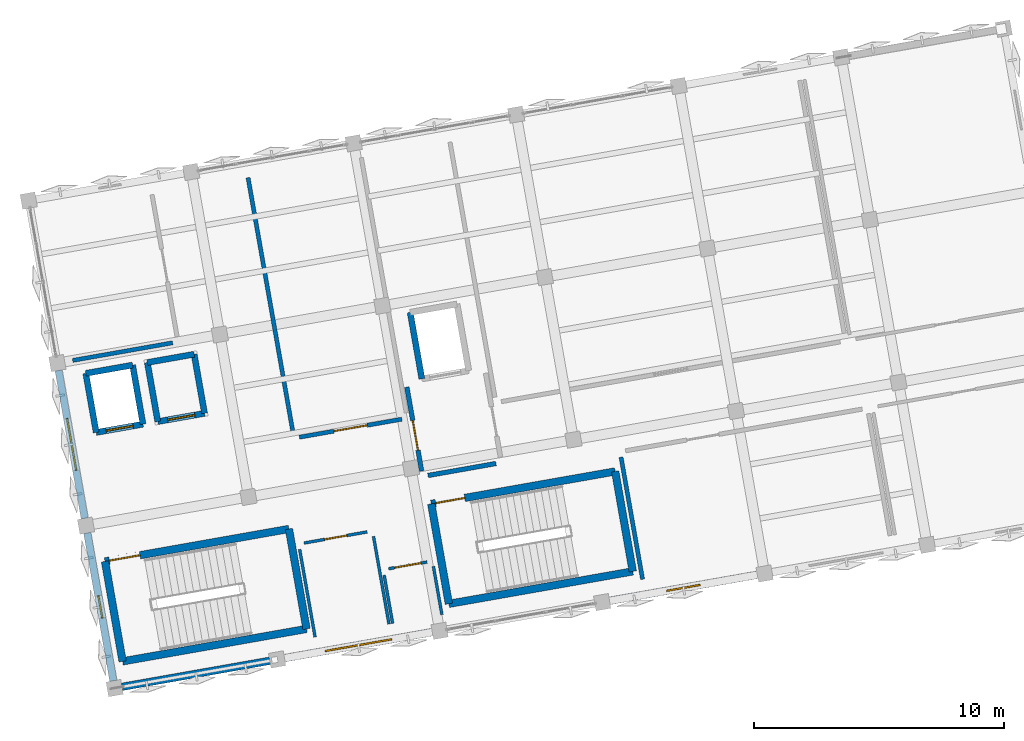
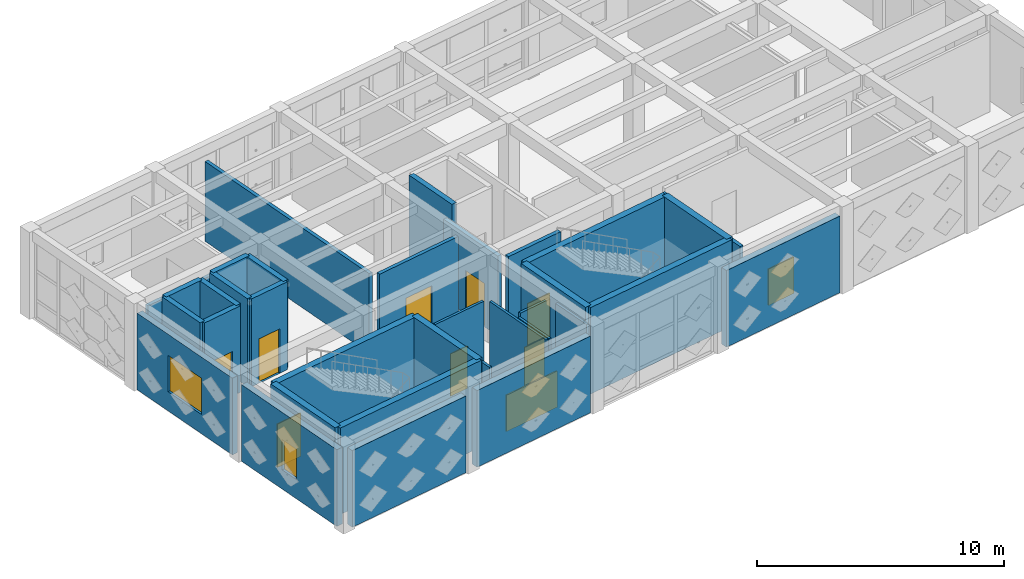
# One storey, part 20 of 29: 34 walls, 8 doors, 4 windows, 12 openings.
"""IFC4 building model written with IfcOpenShell, lengths in metres."""

import ifcopenshell
import ifcopenshell.guid

model = None  # the IFC model being written
_history = None  # IfcOwnerHistory: only IFC2X3 demands one
_inside = {}  # id of a spatial element -> (the spatial element, [elements in it])
_under = {}  # id of a project, library or spatial element -> (it, [spatial elements below it])
_declared = {}  # id of a project -> (the project, [libraries it declares])
_typed = {}  # id of a type object -> (the type object, [elements of that type])
_made_of = {}  # id of a material, layer set ... -> (it, [elements and type objects made of it])


def new_model(schema):
    """Start an empty IFC model of exactly this schema.

    Asked for "IFC4X3", IfcOpenShell would pick the latest addendum, in which some entities
    have other attributes; the version numbers below select the first issue.
    IFC2X3 requires an IfcOwnerHistory on every rooted entity: one is made here for all.
    """
    global model, _history
    if schema == "IFC4X3":
        model = ifcopenshell.file(schema_version=(4, 3, 0, 0))
    else:
        model = ifcopenshell.file(schema=schema)
    _inside.clear()
    _under.clear()
    _declared.clear()
    _typed.clear()
    _made_of.clear()
    _history = None
    if model.schema == "IFC2X3":
        org = make("IfcOrganization", Name="unknown")
        user = make(
            "IfcPersonAndOrganization",
            ThePerson=make("IfcPerson", FamilyName="unknown"),
            TheOrganization=org,
        )
        app = make(
            "IfcApplication",
            ApplicationDeveloper=org,
            Version="unknown",
            ApplicationFullName="unknown",
            ApplicationIdentifier="unknown",
        )
        _history = make(
            "IfcOwnerHistory",
            OwningUser=user,
            OwningApplication=app,
            ChangeAction="ADDED",
            CreationDate=0,
        )
    return model


def make(cls, **values):
    """One entity of the class cls with the attributes given. An attribute that is None is left unset."""
    return model.create_entity(
        cls, **{name: value for name, value in values.items() if value is not None}
    )


def rooted(cls, **values):
    """An entity with a GlobalId (a new one), such as an element, a storey or a relation."""
    return make(cls, GlobalId=ifcopenshell.guid.new(), OwnerHistory=_history, **values)


def si_unit(unit_type, name, prefix=None):
    """IfcSIUnit, for example si_unit("LENGTHUNIT", "METRE", prefix="MILLI")."""
    return make("IfcSIUnit", UnitType=unit_type, Prefix=prefix, Name=name)


def assignment(units):
    """IfcUnitAssignment: the units of a project."""
    return None if units is None else make("IfcUnitAssignment", Units=units)


def point(xyz):
    """IfcCartesianPoint."""
    return None if xyz is None else make("IfcCartesianPoint", Coordinates=xyz)


def direction(xyz):
    """IfcDirection."""
    return None if xyz is None else make("IfcDirection", DirectionRatios=xyz)


def frame(location, z_axis=None, x_axis=None):
    """IfcAxis2Placement3D, a coordinate frame: its origin and axes. An axis left out is left unset."""
    return make(
        "IfcAxis2Placement3D",
        Location=point(location),
        Axis=direction(z_axis),
        RefDirection=direction(x_axis),
    )


def frame_2d(location, x_axis=None):
    """IfcAxis2Placement2D, a coordinate frame in the plane: its origin and x axis."""
    return make(
        "IfcAxis2Placement2D", Location=point(location), RefDirection=direction(x_axis)
    )


def origin():
    """The frame at (0, 0, 0) with its axes left unset."""
    return frame((0.0, 0.0, 0.0))


def place(relative_to, where):
    """IfcLocalPlacement: puts the frame where relative to a parent placement (None: the world)."""
    return make(
        "IfcLocalPlacement", PlacementRelTo=relative_to, RelativePlacement=where
    )


def context(
    kind, dimensions, precision=None, world=None, true_north=None, identifier=None
):
    """IfcGeometricRepresentationContext, for example the 3D "Model" context."""
    return make(
        "IfcGeometricRepresentationContext",
        ContextIdentifier=identifier,
        ContextType=kind,
        CoordinateSpaceDimension=dimensions,
        Precision=precision,
        WorldCoordinateSystem=world,
        TrueNorth=true_north,
    )


def subcontext(parent, identifier, kind, view, scale=None):
    """IfcGeometricRepresentationSubContext, for example "Body" below "Model"."""
    return make(
        "IfcGeometricRepresentationSubContext",
        ContextIdentifier=identifier,
        ContextType=kind,
        ParentContext=parent,
        TargetScale=scale,
        TargetView=view,
    )


def project(units=None, contexts=None):
    """IfcProject with its units and contexts."""
    return rooted(
        "IfcProject",
        Name="project",
        RepresentationContexts=contexts,
        UnitsInContext=assignment(units),
    )


def spatial(cls, under=None, at=None, **own):
    """A site, building, storey or space (cls), placed at a placement, below another one or the project."""
    s = rooted(cls, ObjectPlacement=at, **own)
    if under is not None:
        _under.setdefault(under.id(), (under, []))[1].append(s)
    return s


def profile(cls, at=None, kind="AREA", **sizes):
    """A parametric profile (cls). Its sizes go by their IFC names, for example OverallWidth=200.0."""
    return make(cls, ProfileType=kind, Position=at, **sizes)


def rectangle(**sizes):
    """IfcRectangleProfileDef."""
    return profile("IfcRectangleProfileDef", **sizes)


def extrude(swept, where, along, depth):
    """IfcExtrudedAreaSolid: the profile swept, set in the frame where, extruded along a direction by depth."""
    return make(
        "IfcExtrudedAreaSolid",
        SweptArea=swept,
        Position=where,
        ExtrudedDirection=direction(along),
        Depth=depth,
    )


def shape(context_of_items, identifier, shape_type, items):
    """IfcShapeRepresentation: the items that make up one representation, for example the "Body"."""
    return make(
        "IfcShapeRepresentation",
        ContextOfItems=context_of_items,
        RepresentationIdentifier=identifier,
        RepresentationType=shape_type,
        Items=items,
    )


def material(Name=None, Category=None):
    """IfcMaterial."""
    return make("IfcMaterial", Name=Name, Category=Category)


def layer(
    of_material, thickness, ventilated=None, Name=None, Category=None, Priority=None
):
    """IfcMaterialLayer: one layer of a wall or slab, of a material (None: an air gap)."""
    return make(
        "IfcMaterialLayer",
        Material=of_material,
        LayerThickness=thickness,
        IsVentilated=ventilated,
        Name=Name,
        Category=Category,
        Priority=Priority,
    )


def layer_set(layers, Name=None):
    """IfcMaterialLayerSet."""
    return make("IfcMaterialLayerSet", MaterialLayers=layers, LayerSetName=Name)


def made_of(thing, what):
    """Note that an element or type object is made of a material, layer set ...; save() writes the relation."""
    if what is not None:
        _made_of.setdefault(what.id(), (what, []))[1].append(thing)
    return thing


def type_object(cls, material=None, **own):
    """A type object (cls), such as IfcWallType, which elements share."""
    return made_of(rooted(cls, **own), material)


def element(
    cls,
    number,
    at=None,
    inside=None,
    cuts=None,
    type_object=None,
    material=None,
    context=None,
    identifier="Body",
    shape_type=None,
    held_by="IfcProductDefinitionShape",
    body=None,
    shapes=None,
    **own,
):
    """One element of the class cls, such as IfcWall. Its Tag is "e" and its number.

    at: its placement. inside: the storey or other place that contains it. cuts: it is an
    opening in that element (IfcRelVoidsElement). A single representation is given by context,
    identifier, shape_type and body (its items); several are given by shapes. held_by: the class
    of the entity that holds the representations. save() writes the other relations.
    """
    e = rooted(cls, Tag="e%d" % number, ObjectPlacement=at, **own)
    if body is not None:
        shapes = [shape(context, identifier, shape_type, body)]
    if shapes is not None:
        e.Representation = make(held_by, Representations=shapes)
    if inside is not None:
        _inside.setdefault(inside.id(), (inside, []))[1].append(e)
    if cuts is not None:
        rooted(
            "IfcRelVoidsElement", RelatingBuildingElement=cuts, RelatedOpeningElement=e
        )
    if type_object is not None:
        _typed.setdefault(type_object.id(), (type_object, []))[1].append(e)
    return made_of(e, material)


def fill(opening, filler):
    """IfcRelFillsElement: the door or window that sits in an opening."""
    return rooted(
        "IfcRelFillsElement",
        RelatingOpeningElement=opening,
        RelatedBuildingElement=filler,
    )


def aggregate(whole, parts):
    """IfcRelAggregates: a whole, such as a stair, and the parts it consists of."""
    return rooted("IfcRelAggregates", RelatingObject=whole, RelatedObjects=parts)


def save(model, path):
    """Write the relations noted so far, then the file.

    IfcRelAggregates (storeys below a building ...), IfcRelContainedInSpatialStructure (elements
    in a storey), IfcRelDefinesByType, IfcRelAssociatesMaterial and IfcRelDeclares: one each for
    every whole, place, type object, material and project.
    """
    for whole, parts in _under.values():
        aggregate(whole, parts)
    for where, things in _inside.values():
        rooted(
            "IfcRelContainedInSpatialStructure",
            RelatedElements=things,
            RelatingStructure=where,
        )
    for kind, things in _typed.values():
        rooted("IfcRelDefinesByType", RelatedObjects=things, RelatingType=kind)
    for what, things in _made_of.values():
        rooted("IfcRelAssociatesMaterial", RelatedObjects=things, RelatingMaterial=what)
    for by, libraries in _declared.values():
        rooted("IfcRelDeclares", RelatingContext=by, RelatedDefinitions=libraries)
    model.write(path)


model = new_model("IFC4")

# Units and contexts
model_context = context("Model", 3, precision=1e-05, world=origin(), true_north=direction((0.0, 1.0)))
body_context = subcontext(model_context, "Body", "Model", "MODEL_VIEW")
ifc_project = project(units=[si_unit("LENGTHUNIT", "METRE"), si_unit("AREAUNIT", "SQUARE_METRE"), si_unit("VOLUMEUNIT", "CUBIC_METRE"), si_unit("PLANEANGLEUNIT", "RADIAN"), si_unit("MASSUNIT", "GRAM", prefix="KILO")], contexts=[model_context])

# Site, building, storey
site_placement = place(None, origin())
site = spatial("IfcSite", under=ifc_project, at=site_placement, CompositionType="ELEMENT")
building_placement = place(site_placement, origin())
building = spatial("IfcBuilding", under=site, at=building_placement, Name="Kharisveld Research Institute", CompositionType="ELEMENT")
storey_placement = place(building_placement, frame((0.0, 0.0, 32.10009765625)))
storey = spatial("IfcBuildingStorey", under=building, at=storey_placement, Name="L07", CompositionType="ELEMENT", Elevation=32.10009765625)

# Walls
ifc_material_1 = material(Name="Concrete C40/50", Category="concrete")
ifc_layer_1 = layer(ifc_material_1, 0.239990234375)
ifc_layer_set_1 = layer_set([ifc_layer_1], Name="WL_CORE_240")
wall_type_1 = type_object("IfcWallType", Name="WL_CORE_240", PredefinedType="SHEAR", material=ifc_layer_set_1)
wall_1_placement = place(storey_placement, frame((17.48828125, 47.3818359375, 0.0), z_axis=(0.0, 0.0, 1.0), x_axis=(-0.173615102578, 0.98481358447, 0.0)))
element("IfcWall", 1, at=wall_1_placement, inside=storey, type_object=wall_type_1, Name="WL:LFT:FFL-01:L07:W", PredefinedType="SHEAR", context=body_context, shape_type="SweptSolid", body=[
    extrude(rectangle(XDim=2.699951171875, YDim=0.239990234375, at=frame_2d((1.35009765625, 0.0))), origin(), (0.0, 0.0, 1.0), 4.27978515625),
])
wall_2_placement = place(storey_placement, frame((4.462890625, 45.2373046875, 0.0), z_axis=(0.0, 0.0, 1.0), x_axis=(-0.173646056486, 0.984808127031, 0.0)))
element("IfcWall", 2, at=wall_2_placement, inside=storey, type_object=wall_type_1, Name="WL:LFT:PL-01:L07:W", PredefinedType="SHEAR", context=body_context, shape_type="SweptSolid", body=[
    extrude(rectangle(XDim=2.39990234375, YDim=0.239990234375, at=frame_2d((1.199951171875, 0.0))), origin(), (0.0, 0.0, 1.0), 4.27978515625),
])
wall_3_placement = place(storey_placement, frame((4.046142578125, 47.600830078125, 0.0), z_axis=(0.0, 0.0, 1.0), x_axis=(0.984793905749, 0.173726691098, 0.0)))
element("IfcWall", 3, at=wall_3_placement, inside=storey, type_object=wall_type_1, Name="WL:LFT:PL-01:L07:N", PredefinedType="SHEAR", context=body_context, shape_type="SweptSolid", body=[
    extrude(rectangle(XDim=1.89990234375, YDim=0.239990234375, at=frame_2d((0.949951171875, 0.0))), origin(), (0.0, 0.0, 1.0), 4.27978515625),
])
wall_4_placement = place(storey_placement, frame((5.917236328125, 47.930908203125, 0.0), z_axis=(0.0, 0.0, 1.0), x_axis=(0.173646056486, -0.984808127031, 0.0)))
element("IfcWall", 4, at=wall_4_placement, inside=storey, type_object=wall_type_1, Name="WL:LFT:PL-01:L07:E", PredefinedType="SHEAR", context=body_context, shape_type="SweptSolid", body=[
    extrude(rectangle(XDim=2.39990234375, YDim=0.239990234375, at=frame_2d((1.199951171875, 0.0))), origin(), (0.0, 0.0, 1.0), 4.27978515625),
])

# Wall, opening, door
wall_5_placement = place(storey_placement, frame((6.333984375, 45.5673828125, 0.0), z_axis=(0.0, 0.0, 1.0), x_axis=(-0.984793905749, -0.173726691098, 0.0)))
wall_5 = element("IfcWall", 5, at=wall_5_placement, inside=storey, type_object=wall_type_1, Name="WL:LFT:PL-01:L07:S", PredefinedType="SHEAR", context=body_context, shape_type="SweptSolid", body=[
    extrude(rectangle(XDim=1.89990234375, YDim=0.239990234375, at=frame_2d((0.949951171875, 0.0))), origin(), (0.0, 0.0, 1.0), 4.27978515625),
])
opening_1_placement = place(wall_5_placement, frame((0.39990234375, 0.0, 0.0)))
opening_1 = element("IfcOpeningElement", 6, at=opening_1_placement, cuts=wall_5, Name="Opening LD-01", PredefinedType="OPENING", context=body_context, shape_type="SweptSolid", body=[
    extrude(rectangle(XDim=1.10009765625, YDim=2.199951171875, at=frame_2d((0.550048828125, 1.10009765625))), frame((0.0, 0.1201171875, 0.0), z_axis=(0.0, -1.0, 0.0), x_axis=(1.0, 0.0, 0.0)), (0.0, 0.0, 1.0), 0.239990234375),
])
ifc_material_2 = material(Name="Flush Painted Hardwood and Anodised Aluminium", Category="wood")
door_type_1 = type_object("IfcDoorType", Name="DR_LFT_110", OperationType="SLIDING_TO_LEFT", PredefinedType="DOOR", material=ifc_material_2)
door_1_placement = place(opening_1_placement, origin())
door_1 = element("IfcDoor", 7, at=door_1_placement, inside=storey, type_object=door_type_1, Name="PL-01 Lift Landing Door L07", OperationType="SLIDING_TO_LEFT", OverallHeight=2.199951171875, OverallWidth=1.10009765625, PredefinedType="DOOR", context=body_context, shape_type="SweptSolid", body=[
    extrude(rectangle(XDim=1.10009765625, YDim=2.199951171875, at=frame_2d((0.550048828125, 1.10009765625))), frame((0.0, 0.02490234375, 0.0), z_axis=(0.0, -1.0, 0.0), x_axis=(1.0, 0.0, 0.0)), (0.0, 0.0, 1.0), 0.050048828125),
])
fill(opening_1, door_1)

# Walls
wall_6_placement = place(storey_placement, frame((6.9248046875, 45.67138671875, 0.0), z_axis=(0.0, 0.0, 1.0), x_axis=(-0.173646056486, 0.984808127031, 0.0)))
element("IfcWall", 8, at=wall_6_placement, inside=storey, type_object=wall_type_1, Name="WL:LFT:PL-02:L07:W", PredefinedType="SHEAR", context=body_context, shape_type="SweptSolid", body=[
    extrude(rectangle(XDim=2.39990234375, YDim=0.239990234375, at=frame_2d((1.199951171875, 0.0))), origin(), (0.0, 0.0, 1.0), 4.349853515625),
])
wall_7_placement = place(storey_placement, frame((6.508056640625, 48.034912109375, 0.0), z_axis=(0.0, 0.0, 1.0), x_axis=(0.984793905749, 0.173726691098, 0.0)))
element("IfcWall", 9, at=wall_7_placement, inside=storey, type_object=wall_type_1, Name="WL:LFT:PL-02:L07:N", PredefinedType="SHEAR", context=body_context, shape_type="SweptSolid", body=[
    extrude(rectangle(XDim=1.89990234375, YDim=0.239990234375, at=frame_2d((0.949951171875, 0.0))), origin(), (0.0, 0.0, 1.0), 4.349853515625),
])
wall_8_placement = place(storey_placement, frame((8.379150390625, 48.364990234375, 0.0), z_axis=(0.0, 0.0, 1.0), x_axis=(0.173646056486, -0.984808127031, 0.0)))
element("IfcWall", 10, at=wall_8_placement, inside=storey, type_object=wall_type_1, Name="WL:LFT:PL-02:L07:E", PredefinedType="SHEAR", context=body_context, shape_type="SweptSolid", body=[
    extrude(rectangle(XDim=2.39990234375, YDim=0.239990234375, at=frame_2d((1.199951171875, 0.0))), origin(), (0.0, 0.0, 1.0), 4.349853515625),
])

# Wall, opening, door
wall_9_placement = place(storey_placement, frame((8.7958984375, 46.00146484375, 0.0), z_axis=(0.0, 0.0, 1.0), x_axis=(-0.984793905749, -0.173726691098, 0.0)))
wall_9 = element("IfcWall", 11, at=wall_9_placement, inside=storey, type_object=wall_type_1, Name="WL:LFT:PL-02:L07:S", PredefinedType="SHEAR", context=body_context, shape_type="SweptSolid", body=[
    extrude(rectangle(XDim=1.89990234375, YDim=0.239990234375, at=frame_2d((0.949951171875, 0.0))), origin(), (0.0, 0.0, 1.0), 4.349853515625),
])
opening_2_placement = place(wall_9_placement, frame((0.39990234375, 0.0, 0.0)))
opening_2 = element("IfcOpeningElement", 12, at=opening_2_placement, cuts=wall_9, Name="Opening LD-01", PredefinedType="OPENING", context=body_context, shape_type="SweptSolid", body=[
    extrude(rectangle(XDim=1.10009765625, YDim=2.199951171875, at=frame_2d((0.550048828125, 1.10009765625))), frame((0.0, 0.1201171875, 0.0), z_axis=(0.0, -1.0, 0.0), x_axis=(1.0, 0.0, 0.0)), (0.0, 0.0, 1.0), 0.239990234375),
])
door_2_placement = place(opening_2_placement, origin())
door_2 = element("IfcDoor", 13, at=door_2_placement, inside=storey, type_object=door_type_1, Name="PL-02 Lift Landing Door L07", OperationType="SLIDING_TO_LEFT", OverallHeight=2.199951171875, OverallWidth=1.10009765625, PredefinedType="DOOR", context=body_context, shape_type="SweptSolid", body=[
    extrude(rectangle(XDim=1.10009765625, YDim=2.199951171875, at=frame_2d((0.550048828125, 1.10009765625))), frame((0.0, 0.02490234375, 0.0), z_axis=(0.0, -1.0, 0.0), x_axis=(1.0, 0.0, 0.0)), (0.0, 0.0, 1.0), 0.050048828125),
])
fill(opening_2, door_2)

# Wall
ifc_material_3 = material(Name="Concrete C40/50", Category="concrete")
ifc_layer_2 = layer(ifc_material_3, 0.300048828125)
ifc_layer_set_2 = layer_set([ifc_layer_2], Name="WL_CORE_300")
wall_type_2 = type_object("IfcWallType", Name="WL_CORE_300", PredefinedType="SHEAR", material=ifc_layer_set_2)
wall_10_placement = place(storey_placement, frame((5.518798828125, 36.08154296875, 0.0), z_axis=(0.0, 0.0, 1.0), x_axis=(-0.173665267602, 0.984804739443, 0.0)))
element("IfcWall", 14, at=wall_10_placement, inside=storey, type_object=wall_type_2, Name="WL:STR:ST1:L07:W", PredefinedType="SHEAR", context=body_context, shape_type="SweptSolid", body=[
    extrude(rectangle(XDim=4.06005859375, YDim=0.300048828125, at=frame_2d((2.030029296875, 0.0))), origin(), (0.0, 0.0, 1.0), 4.27978515625),
])

# Wall, opening, door
wall_11_placement = place(storey_placement, frame((4.813720703125, 40.079833984375, 0.0), z_axis=(0.0, 0.0, 1.0), x_axis=(0.984802636214, 0.173677193974, 0.0)))
wall_11 = element("IfcWall", 15, at=wall_11_placement, inside=storey, type_object=wall_type_2, Name="WL:STR:ST1:L07:N", PredefinedType="SHEAR", context=body_context, shape_type="SweptSolid", body=[
    extrude(rectangle(XDim=7.469970703125, YDim=0.300048828125, at=frame_2d((3.73486328125, 0.0))), origin(), (0.0, 0.0, 1.0), 4.27978515625),
])
opening_3_placement = place(wall_11_placement, frame((0.179931640625, 0.0, 0.0)))
opening_3 = element("IfcOpeningElement", 16, at=opening_3_placement, cuts=wall_11, Name="Opening DS-009", PredefinedType="OPENING", context=body_context, shape_type="SweptSolid", body=[
    extrude(rectangle(XDim=1.239990234375, YDim=2.14990234375, at=frame_2d((0.6201171875, 1.074951171875))), frame((0.0, 0.14990234375, 0.0), z_axis=(0.0, -1.0, 0.0), x_axis=(1.0, 0.0, 0.0)), (0.0, 0.0, 1.0), 0.300048828125),
])
ifc_material_4 = material(Name="Flush Painted Hardwood and Anodised Aluminium", Category="wood")
door_type_2 = type_object("IfcDoorType", Name="DR_FD60_124", OperationType="NOTDEFINED", PredefinedType="DOOR", material=ifc_material_4)
door_3_placement = place(opening_3_placement, origin())
door_3 = element("IfcDoor", 17, at=door_3_placement, inside=storey, type_object=door_type_2, Name="DR:STR:ST1:L07", OperationType="SINGLE_SWING_RIGHT", OverallHeight=2.14990234375, OverallWidth=1.239990234375, PredefinedType="DOOR", context=body_context, shape_type="SweptSolid", body=[
    extrude(rectangle(XDim=1.239990234375, YDim=2.14990234375, at=frame_2d((0.6201171875, 1.074951171875))), frame((0.0, 0.02490234375, 0.0), z_axis=(0.0, -1.0, 0.0), x_axis=(1.0, 0.0, 0.0)), (0.0, 0.0, 1.0), 0.050048828125),
])
fill(opening_3, door_3)

# Walls
wall_12_placement = place(storey_placement, frame((12.170166015625, 41.377197265625, 0.0), z_axis=(0.0, 0.0, 1.0), x_axis=(0.173654983803, -0.984806552883, 0.0)))
element("IfcWall", 18, at=wall_12_placement, inside=storey, type_object=wall_type_2, Name="WL:STR:ST1:L07:E", PredefinedType="SHEAR", context=body_context, shape_type="SweptSolid", body=[
    extrude(rectangle(XDim=4.060302734375, YDim=0.300048828125, at=frame_2d((2.0302734375, 0.0))), origin(), (0.0, 0.0, 1.0), 4.27978515625),
])
wall_13_placement = place(storey_placement, frame((12.875244140625, 37.378662109375, 0.0), z_axis=(0.0, 0.0, 1.0), x_axis=(-0.984808225754, -0.173645496596, 0.0)))
element("IfcWall", 19, at=wall_13_placement, inside=storey, type_object=wall_type_2, Name="WL:STR:ST1:L07:S", PredefinedType="SHEAR", context=body_context, shape_type="SweptSolid", body=[
    extrude(rectangle(XDim=7.469970703125, YDim=0.300048828125, at=frame_2d((3.73486328125, 0.0))), origin(), (0.0, 0.0, 1.0), 4.27978515625),
])
wall_14_placement = place(storey_placement, frame((18.5673828125, 38.382568359375, 0.0), z_axis=(0.0, 0.0, 1.0), x_axis=(-0.173606946886, 0.984815022221, 0.0)))
element("IfcWall", 20, at=wall_14_placement, inside=storey, type_object=wall_type_2, Name="WL:STR:ST2:L07:W", PredefinedType="SHEAR", context=body_context, shape_type="SweptSolid", body=[
    extrude(rectangle(XDim=4.06005859375, YDim=0.300048828125, at=frame_2d((2.030029296875, 0.0))), origin(), (0.0, 0.0, 1.0), 4.27978515625),
])

# Wall, opening, door
wall_15_placement = place(storey_placement, frame((17.862548828125, 42.380859375, 0.0), z_axis=(0.0, 0.0, 1.0), x_axis=(0.984808225754, 0.173645496596, 0.0)))
wall_15 = element("IfcWall", 21, at=wall_15_placement, inside=storey, type_object=wall_type_2, Name="WL:STR:ST2:L07:N", PredefinedType="SHEAR", context=body_context, shape_type="SweptSolid", body=[
    extrude(rectangle(XDim=7.469970703125, YDim=0.300048828125, at=frame_2d((3.73486328125, 0.0))), origin(), (0.0, 0.0, 1.0), 4.27978515625),
])
opening_4_placement = place(wall_15_placement, frame((0.179931640625, 0.0, 0.0)))
opening_4 = element("IfcOpeningElement", 22, at=opening_4_placement, cuts=wall_15, Name="Opening DS-022", PredefinedType="OPENING", context=body_context, shape_type="SweptSolid", body=[
    extrude(rectangle(XDim=1.179931640625, YDim=2.14990234375, at=frame_2d((0.58984375, 1.074951171875))), frame((0.0, 0.14990234375, 0.0), z_axis=(0.0, -1.0, 0.0), x_axis=(1.0, 0.0, 0.0)), (0.0, 0.0, 1.0), 0.300048828125),
])
ifc_material_5 = material(Name="Flush Painted Hardwood and Anodised Aluminium", Category="wood")
door_type_3 = type_object("IfcDoorType", Name="DR_FD60_118", OperationType="NOTDEFINED", PredefinedType="DOOR", material=ifc_material_5)
door_4_placement = place(opening_4_placement, origin())
door_4 = element("IfcDoor", 23, at=door_4_placement, inside=storey, type_object=door_type_3, Name="DR:STR:ST2:L07", OperationType="SINGLE_SWING_LEFT", OverallHeight=2.14990234375, OverallWidth=1.179931640625, PredefinedType="DOOR", context=body_context, shape_type="SweptSolid", body=[
    extrude(rectangle(XDim=1.179931640625, YDim=2.14990234375, at=frame_2d((0.58984375, 1.074951171875))), frame((0.0, 0.02490234375, 0.0), z_axis=(0.0, -1.0, 0.0), x_axis=(1.0, 0.0, 0.0)), (0.0, 0.0, 1.0), 0.050048828125),
])
fill(opening_4, door_4)

# Walls
wall_16_placement = place(storey_placement, frame((25.218994140625, 43.677978515625, 0.0), z_axis=(0.0, 0.0, 1.0), x_axis=(0.173665267602, -0.984804739443, 0.0)))
element("IfcWall", 24, at=wall_16_placement, inside=storey, type_object=wall_type_2, Name="WL:STR:ST2:L07:E", PredefinedType="SHEAR", context=body_context, shape_type="SweptSolid", body=[
    extrude(rectangle(XDim=4.06005859375, YDim=0.300048828125, at=frame_2d((2.030029296875, 0.0))), origin(), (0.0, 0.0, 1.0), 4.27978515625),
])
wall_17_placement = place(storey_placement, frame((25.924072265625, 39.6796875, 0.0), z_axis=(0.0, 0.0, 1.0), x_axis=(-0.984809211193, -0.173639907711, 0.0)))
element("IfcWall", 25, at=wall_17_placement, inside=storey, type_object=wall_type_2, Name="WL:STR:ST2:L07:S", PredefinedType="SHEAR", context=body_context, shape_type="SweptSolid", body=[
    extrude(rectangle(XDim=7.47021484375, YDim=0.300048828125, at=frame_2d((3.735107421875, 0.0))), origin(), (0.0, 0.0, 1.0), 4.27978515625),
])

# Wall, opening, window
ifc_material_6 = material(Name="Precast Concrete C40/50 Thermal Wall", Category="concrete")
ifc_layer_3 = layer(ifc_material_6, 0.27490234375)
ifc_layer_set_3 = layer_set([ifc_layer_3], Name="WL_EXT_275")
wall_type_3 = type_object("IfcWallType", Name="WL_EXT_275", PredefinedType="STANDARD", material=ifc_layer_set_3)
wall_18_placement = place(storey_placement, frame((4.002685546875, 41.80029296875, 0.0), z_axis=(0.0, 0.0, 1.0), x_axis=(-0.173660194111, 0.984805634113, 0.0)))
wall_18 = element("IfcWall", 26, at=wall_18_placement, inside=storey, type_object=wall_type_3, Name="WL:V1:L07:W1", PredefinedType="STANDARD", context=body_context, shape_type="SweptSolid", body=[
    extrude(rectangle(XDim=6.010009765625, YDim=0.27490234375, at=frame_2d((3.0048828125, 0.0))), origin(), (0.0, 0.0, 1.0), 3.794921875),
])
opening_5_placement = place(wall_18_placement, frame((1.955078125, 0.0, 0.949951171875)))
opening_5 = element("IfcOpeningElement", 27, at=opening_5_placement, cuts=wall_18, Name="Opening WN-06", PredefinedType="OPENING", context=body_context, shape_type="SweptSolid", body=[
    extrude(rectangle(XDim=2.10009765625, YDim=1.800048828125, at=frame_2d((1.050048828125, 0.89990234375))), frame((0.0, 0.137451171875, 0.0), z_axis=(0.0, -1.0, 0.0), x_axis=(1.0, 0.0, 0.0)), (0.0, 0.0, 1.0), 0.27490234375),
])
ifc_material_7 = material(Name="Low-E Double Glazing", Category="glass")
window_type_1 = type_object("IfcWindowType", Name="WN_06", PartitioningType="DOUBLE_PANEL_VERTICAL", PredefinedType="WINDOW", material=ifc_material_7)
window_1_placement = place(opening_5_placement, origin())
window_1 = element("IfcWindow", 28, at=window_1_placement, inside=storey, type_object=window_type_1, Name="WN:V1:L07:W1", OverallHeight=1.800048828125, OverallWidth=2.10009765625, PartitioningType="SINGLE_PANEL", PredefinedType="WINDOW", context=body_context, shape_type="SweptSolid", body=[
    extrude(rectangle(XDim=2.10009765625, YDim=1.800048828125, at=frame_2d((1.050048828125, 0.89990234375))), frame((0.0, 0.030029296875, 0.0), z_axis=(0.0, -1.0, 0.0), x_axis=(1.0, 0.0, 0.0)), (0.0, 0.0, 1.0), 0.06005859375),
])
fill(opening_5, window_1)

ifc_material_8 = material(Name="Precast Concrete C40/50 Thermal Wall", Category="concrete")
ifc_layer_4 = layer(ifc_material_8, 0.2900390625)
ifc_layer_set_4 = layer_set([ifc_layer_4], Name="WL_EXT_290")
wall_type_4 = type_object("IfcWallType", Name="WL_EXT_290", PredefinedType="STANDARD", material=ifc_layer_set_4)
wall_19_placement = place(storey_placement, frame((5.148681640625, 35.300537109375, 0.0), z_axis=(0.0, 0.0, 1.0), x_axis=(-0.173620796507, 0.984812580657, 0.0)))
wall_19 = element("IfcWall", 29, at=wall_19_placement, inside=storey, type_object=wall_type_4, Name="WL:V1:L07:W0", PredefinedType="STANDARD", context=body_context, shape_type="SweptSolid", body=[
    extrude(rectangle(XDim=6.010009765625, YDim=0.2900390625, at=frame_2d((3.0048828125, 0.0))), origin(), (0.0, 0.0, 1.0), 3.794921875),
])
opening_6_placement = place(wall_19_placement, frame((2.554931640625, 0.0, 0.949951171875)))
opening_6 = element("IfcOpeningElement", 30, at=opening_6_placement, cuts=wall_19, Name="Opening WN-05", PredefinedType="OPENING", context=body_context, shape_type="SweptSolid", body=[
    extrude(rectangle(XDim=0.89990234375, YDim=1.5, at=frame_2d((0.449951171875, 0.75))), frame((0.0, 0.14501953125, 0.0), z_axis=(0.0, -1.0, 0.0), x_axis=(1.0, 0.0, 0.0)), (0.0, 0.0, 1.0), 0.2900390625),
])
ifc_material_9 = material(Name="Low-E Double Glazing", Category="glass")
window_type_2 = type_object("IfcWindowType", Name="WN_05", PartitioningType="SINGLE_PANEL", PredefinedType="WINDOW", material=ifc_material_9)
window_2_placement = place(opening_6_placement, origin())
window_2 = element("IfcWindow", 31, at=window_2_placement, inside=storey, type_object=window_type_2, Name="WN:V1:L07:W0", OverallHeight=1.5, OverallWidth=0.89990234375, PartitioningType="SINGLE_PANEL", PredefinedType="WINDOW", context=body_context, shape_type="SweptSolid", body=[
    extrude(rectangle(XDim=0.89990234375, YDim=1.5, at=frame_2d((0.449951171875, 0.75))), frame((0.0, 0.030029296875, 0.0), z_axis=(0.0, -1.0, 0.0), x_axis=(1.0, 0.0, 0.0)), (0.0, 0.0, 1.0), 0.06005859375),
])
fill(opening_6, window_2)

ifc_material_10 = material(Name="Precast Concrete C40/50 Ochre Panel", Category="concrete")
ifc_layer_5 = layer(ifc_material_10, 0.304931640625)
ifc_layer_set_5 = layer_set([ifc_layer_5], Name="WL_EXT_305")
wall_type_5 = type_object("IfcWallType", Name="WL_EXT_305", PredefinedType="STANDARD", material=ifc_layer_set_5)
wall_20_placement = place(storey_placement, frame((30.908447265625, 39.54296875, 0.0), z_axis=(0.0, 0.0, 1.0), x_axis=(-0.984812580657, -0.173620796507, 0.0)))
wall_20 = element("IfcWall", 32, at=wall_20_placement, inside=storey, type_object=wall_type_5, Name="WL:V1:L07:S4", PredefinedType="STANDARD", context=body_context, shape_type="SweptSolid", body=[
    extrude(rectangle(XDim=6.010009765625, YDim=0.304931640625, at=frame_2d((3.0048828125, 0.0))), origin(), (0.0, 0.0, 1.0), 3.794921875),
])
opening_7_placement = place(wall_20_placement, frame((2.330078125, 0.0, 0.949951171875)))
opening_7 = element("IfcOpeningElement", 33, at=opening_7_placement, cuts=wall_20, Name="Opening WN-09", PredefinedType="OPENING", context=body_context, shape_type="SweptSolid", body=[
    extrude(rectangle(XDim=1.35009765625, YDim=1.800048828125, at=frame_2d((0.675048828125, 0.89990234375))), frame((0.0, 0.15234375, 0.0), z_axis=(0.0, -1.0, 0.0), x_axis=(1.0, 0.0, 0.0)), (0.0, 0.0, 1.0), 0.304931640625),
])
ifc_material_11 = material(Name="Low-E Double Glazing", Category="glass")
window_type_3 = type_object("IfcWindowType", Name="WN_09", PartitioningType="SINGLE_PANEL", PredefinedType="WINDOW", material=ifc_material_11)
window_3_placement = place(opening_7_placement, origin())
window_3 = element("IfcWindow", 34, at=window_3_placement, inside=storey, type_object=window_type_3, Name="WN:V1:L07:S4", OverallHeight=1.800048828125, OverallWidth=1.35009765625, PartitioningType="SINGLE_PANEL", PredefinedType="WINDOW", context=body_context, shape_type="SweptSolid", body=[
    extrude(rectangle(XDim=1.35009765625, YDim=1.800048828125, at=frame_2d((0.675048828125, 0.89990234375))), frame((0.0, 0.030029296875, 0.0), z_axis=(0.0, -1.0, 0.0), x_axis=(1.0, 0.0, 0.0)), (0.0, 0.0, 1.0), 0.06005859375),
])
fill(opening_7, window_3)

wall_21_placement = place(storey_placement, frame((17.908935546875, 37.2509765625, 0.0), z_axis=(0.0, 0.0, 1.0), x_axis=(-0.984805634113, -0.173660194111, 0.0)))
wall_21 = element("IfcWall", 35, at=wall_21_placement, inside=storey, type_object=wall_type_5, Name="WL:V1:L07:S2", PredefinedType="STANDARD", context=body_context, shape_type="SweptSolid", body=[
    extrude(rectangle(XDim=6.010009765625, YDim=0.304931640625, at=frame_2d((3.0048828125, 0.0))), origin(), (0.0, 0.0, 1.0), 3.794921875),
])
opening_8_placement = place(wall_21_placement, frame((1.655029296875, 0.0, 0.949951171875)))
opening_8 = element("IfcOpeningElement", 36, at=opening_8_placement, cuts=wall_21, Name="Opening WN-07", PredefinedType="OPENING", context=body_context, shape_type="SweptSolid", body=[
    extrude(rectangle(XDim=2.699951171875, YDim=1.800048828125, at=frame_2d((1.35009765625, 0.89990234375))), frame((0.0, 0.15234375, 0.0), z_axis=(0.0, -1.0, 0.0), x_axis=(1.0, 0.0, 0.0)), (0.0, 0.0, 1.0), 0.304931640625),
])
ifc_material_12 = material(Name="Low-E Double Glazing", Category="glass")
window_type_4 = type_object("IfcWindowType", Name="WN_07", PartitioningType="TRIPLE_PANEL_VERTICAL", PredefinedType="WINDOW", material=ifc_material_12)
window_4_placement = place(opening_8_placement, origin())
window_4 = element("IfcWindow", 37, at=window_4_placement, inside=storey, type_object=window_type_4, Name="WN:V1:L07:S2", OverallHeight=1.800048828125, OverallWidth=2.699951171875, PartitioningType="SINGLE_PANEL", PredefinedType="WINDOW", context=body_context, shape_type="SweptSolid", body=[
    extrude(rectangle(XDim=2.699951171875, YDim=1.800048828125, at=frame_2d((1.35009765625, 0.89990234375))), frame((0.0, 0.030029296875, 0.0), z_axis=(0.0, -1.0, 0.0), x_axis=(1.0, 0.0, 0.0)), (0.0, 0.0, 1.0), 0.06005859375),
])
fill(opening_8, window_4)

# Walls
wall_22_placement = place(storey_placement, frame((11.4091796875, 36.104736328125, 0.0), z_axis=(0.0, 0.0, 1.0), x_axis=(-0.984812580657, -0.173620796507, 0.0)))
element("IfcWall", 38, at=wall_22_placement, inside=storey, type_object=wall_type_5, Name="WL:V1:L07:S1", PredefinedType="STANDARD", context=body_context, shape_type="SweptSolid", body=[
    extrude(rectangle(XDim=6.010009765625, YDim=0.304931640625, at=frame_2d((3.0048828125, 0.0))), origin(), (0.0, 0.0, 1.0), 3.794921875),
])
ifc_material_13 = material(Name="Acoustic Drywall Partition", Category="mineral")
ifc_layer_6 = layer(ifc_material_13, 0.1650390625)
ifc_layer_set_6 = layer_set([ifc_layer_6], Name="WL_LAB_165")
wall_type_6 = type_object("IfcWallType", Name="WL_LAB_165", PredefinedType="PARTITIONING", material=ifc_layer_set_6)
wall_23_placement = place(storey_placement, frame((3.518310546875, 48.1171875, 0.0), z_axis=(0.0, 0.0, 1.0), x_axis=(0.984816834462, 0.173596666326, 0.0)))
element("IfcWall", 39, at=wall_23_placement, inside=storey, type_object=wall_type_6, Name="WL:RM:V1:L07:NW:S", PredefinedType="PARTITIONING", context=body_context, shape_type="SweptSolid", body=[
    extrude(rectangle(XDim=4.060302734375, YDim=0.1650390625, at=frame_2d((2.0302734375, 0.0))), origin(), (0.0, 0.0, 1.0), 3.69482421875),
])

# Wall, opening, door
wall_24_placement = place(storey_placement, frame((12.589599609375, 45.045654296875, 0.0), z_axis=(0.0, 0.0, 1.0), x_axis=(0.984805411783, 0.173661454915, 0.0)))
wall_24 = element("IfcWall", 40, at=wall_24_placement, inside=storey, type_object=wall_type_6, Name="WL:RM:V1:L07:N1:S", PredefinedType="PARTITIONING", context=body_context, shape_type="SweptSolid", body=[
    extrude(rectangle(XDim=4.159912109375, YDim=0.1650390625, at=frame_2d((2.080078125, 0.0))), origin(), (0.0, 0.0, 1.0), 3.949951171875),
])
opening_9_placement = place(wall_24_placement, frame((1.39990234375, 0.0, 0.0)))
opening_9 = element("IfcOpeningElement", 41, at=opening_9_placement, cuts=wall_24, Name="Opening DI-136", PredefinedType="OPENING", context=body_context, shape_type="SweptSolid", body=[
    extrude(rectangle(XDim=1.360107421875, YDim=2.139892578125, at=frame_2d((0.68017578125, 1.06982421875))), frame((0.0, 0.08251953125, 0.0), z_axis=(0.0, -1.0, 0.0), x_axis=(1.0, 0.0, 0.0)), (0.0, 0.0, 1.0), 0.1650390625),
])
ifc_material_14 = material(Name="Flush Painted Hardwood and Anodised Aluminium", Category="wood")
door_type_4 = type_object("IfcDoorType", Name="DR_VAR_16", OperationType="NOTDEFINED", PredefinedType="DOOR", material=ifc_material_14)
door_5_placement = place(opening_9_placement, origin())
door_5 = element("IfcDoor", 42, at=door_5_placement, inside=storey, type_object=door_type_4, Name="DR:RM:V1:L07:N1:S", OperationType="SINGLE_SWING_LEFT", OverallHeight=2.139892578125, OverallWidth=1.360107421875, PredefinedType="DOOR", context=body_context, shape_type="SweptSolid", body=[
    extrude(rectangle(XDim=1.360107421875, YDim=2.139892578125, at=frame_2d((0.68017578125, 1.06982421875))), frame((0.0, 0.02490234375, 0.0), z_axis=(0.0, -1.0, 0.0), x_axis=(1.0, 0.0, 0.0)), (0.0, 0.0, 1.0), 0.050048828125),
])
fill(opening_9, door_5)

# Walls
wall_25_placement = place(storey_placement, frame((10.53564453125, 55.4267578125, 0.0), z_axis=(0.0, 0.0, 1.0), x_axis=(0.173654930775, -0.984806562233, 0.0)))
element("IfcWall", 43, at=wall_25_placement, inside=storey, type_object=wall_type_6, Name="WL:RM:V1:L07:N1:W", PredefinedType="PARTITIONING", context=body_context, shape_type="SweptSolid", body=[
    extrude(rectangle(XDim=10.360107421875, YDim=0.1650390625, at=frame_2d((5.18017578125, 0.0))), origin(), (0.0, 0.0, 1.0), 3.949951171875),
])
wall_26_placement = place(storey_placement, frame((25.45361328125, 44.247314453125, 0.0), z_axis=(0.0, 0.0, 1.0), x_axis=(0.173658971256, -0.98480584975, 0.0)))
element("IfcWall", 44, at=wall_26_placement, inside=storey, type_object=wall_type_6, Name="WL:RM:V1:L07:S1:W", PredefinedType="PARTITIONING", context=body_context, shape_type="SweptSolid", body=[
    extrude(rectangle(XDim=4.9599609375, YDim=0.1650390625, at=frame_2d((2.47998046875, 0.0))), origin(), (0.0, 0.0, 1.0), 3.949951171875),
])
ifc_material_15 = material(Name="Masonry Blockwork", Category="masonry")
ifc_layer_7 = layer(ifc_material_15, 0.18505859375)
ifc_layer_set_7 = layer_set([ifc_layer_7], Name="WL_LOB_185")
wall_type_7 = type_object("IfcWallType", Name="WL_LOB_185", PredefinedType="SOLIDWALL", material=ifc_layer_set_7)
wall_27_placement = place(storey_placement, frame((17.7333984375, 43.515625, 0.0), z_axis=(0.0, 0.0, 1.0), x_axis=(0.984808483292, 0.173644035992, 0.0)))
element("IfcWall", 45, at=wall_27_placement, inside=storey, type_object=wall_type_7, Name="WL:RM:V1:L07:FFL:S", PredefinedType="SOLIDWALL", context=body_context, shape_type="SweptSolid", body=[
    extrude(rectangle(XDim=2.760009765625, YDim=0.18505859375, at=frame_2d((1.3798828125, 0.0))), origin(), (0.0, 0.0, 1.0), 3.949951171875),
])

# Wall, opening, door
wall_28_placement = place(storey_placement, frame((16.886474609375, 47.05224609375, 0.0), z_axis=(0.0, 0.0, 1.0), x_axis=(0.173621956536, -0.984812376145, 0.0)))
wall_28 = element("IfcWall", 46, at=wall_28_placement, inside=storey, type_object=wall_type_7, Name="WL:RM:V1:L07:FFL:W", PredefinedType="SOLIDWALL", context=body_context, shape_type="SweptSolid", body=[
    extrude(rectangle(XDim=3.409912109375, YDim=0.18505859375, at=frame_2d((1.705078125, 0.0))), origin(), (0.0, 0.0, 1.0), 3.949951171875),
])
opening_10_placement = place(wall_28_placement, frame((1.360107421875, 0.0, 0.0)))
opening_10 = element("IfcOpeningElement", 47, at=opening_10_placement, cuts=wall_28, Name="Opening DI-132", PredefinedType="OPENING", context=body_context, shape_type="SweptSolid", body=[
    extrude(rectangle(XDim=1.199951171875, YDim=2.14990234375, at=frame_2d((0.60009765625, 1.074951171875))), frame((0.0, 0.092529296875, 0.0), z_axis=(0.0, -1.0, 0.0), x_axis=(1.0, 0.0, 0.0)), (0.0, 0.0, 1.0), 0.18505859375),
])
ifc_material_16 = material(Name="Flush Painted Hardwood and Anodised Aluminium", Category="wood")
door_type_5 = type_object("IfcDoorType", Name="DR_FD120_120", OperationType="NOTDEFINED", PredefinedType="DOOR", material=ifc_material_16)
door_6_placement = place(opening_10_placement, origin())
door_6 = element("IfcDoor", 48, at=door_6_placement, inside=storey, type_object=door_type_5, Name="DR:RM:V1:L07:FFL:W", OperationType="SINGLE_SWING_LEFT", OverallHeight=2.14990234375, OverallWidth=1.199951171875, PredefinedType="DOOR", context=body_context, shape_type="SweptSolid", body=[
    extrude(rectangle(XDim=1.199951171875, YDim=2.14990234375, at=frame_2d((0.60009765625, 1.074951171875))), frame((0.0, 0.02490234375, 0.0), z_axis=(0.0, -1.0, 0.0), x_axis=(1.0, 0.0, 0.0)), (0.0, 0.0, 1.0), 0.050048828125),
])
fill(opening_10, door_6)

# Wall
ifc_material_17 = material(Name="Moisture-Resistant Partition", Category="mineral")
ifc_layer_8 = layer(ifc_material_17, 0.114990234375)
ifc_layer_set_8 = layer_set([ifc_layer_8], Name="WL_WC_115")
wall_type_8 = type_object("IfcWallType", Name="WL_WC_115", PredefinedType="PARTITIONING", material=ifc_layer_set_8)
wall_29_placement = place(storey_placement, frame((16.17138671875, 37.57421875, 0.0), z_axis=(0.0, 0.0, 1.0), x_axis=(-0.173644490041, 0.984808403233, 0.0)))
element("IfcWall", 49, at=wall_29_placement, inside=storey, type_object=wall_type_8, Name="WL:RM:V1:L07:WCM:E", PredefinedType="PARTITIONING", context=body_context, shape_type="SweptSolid", body=[
    extrude(rectangle(XDim=3.56005859375, YDim=0.114990234375, at=frame_2d((1.780029296875, 0.0))), origin(), (0.0, 0.0, 1.0), 3.949951171875),
])

# Wall, opening, door
wall_30_placement = place(storey_placement, frame((15.29833984375, 41.258544921875, 0.0), z_axis=(0.0, 0.0, 1.0), x_axis=(-0.984803714572, -0.17367107924, 0.0)))
wall_30 = element("IfcWall", 50, at=wall_30_placement, inside=storey, type_object=wall_type_8, Name="WL:RM:V1:L07:WCM:N", PredefinedType="PARTITIONING", context=body_context, shape_type="SweptSolid", body=[
    extrude(rectangle(XDim=2.559814453125, YDim=0.114990234375, at=frame_2d((1.27978515625, 0.0))), origin(), (0.0, 0.0, 1.0), 3.949951171875),
])
opening_11_placement = place(wall_30_placement, frame((0.830078125, 0.0, 0.0)))
opening_11 = element("IfcOpeningElement", 51, at=opening_11_placement, cuts=wall_30, Name="Opening DI-133", PredefinedType="OPENING", context=body_context, shape_type="SweptSolid", body=[
    extrude(rectangle(XDim=0.89990234375, YDim=2.10009765625, at=frame_2d((0.449951171875, 1.050048828125))), frame((0.0, 0.0576171875, 0.0), z_axis=(0.0, -1.0, 0.0), x_axis=(1.0, 0.0, 0.0)), (0.0, 0.0, 1.0), 0.114990234375),
])
ifc_material_18 = material(Name="Flush Painted Hardwood and Anodised Aluminium", Category="wood")
door_type_6 = type_object("IfcDoorType", Name="DR_WC_090", OperationType="NOTDEFINED", PredefinedType="DOOR", material=ifc_material_18)
door_7_placement = place(opening_11_placement, origin())
door_7 = element("IfcDoor", 52, at=door_7_placement, inside=storey, type_object=door_type_6, Name="DR:RM:V1:L07:WCM:N", OperationType="SINGLE_SWING_RIGHT", OverallHeight=2.10009765625, OverallWidth=0.89990234375, PredefinedType="DOOR", context=body_context, shape_type="SweptSolid", body=[
    extrude(rectangle(XDim=0.89990234375, YDim=2.10009765625, at=frame_2d((0.449951171875, 1.050048828125))), frame((0.0, 0.02490234375, 0.0), z_axis=(0.0, -1.0, 0.0), x_axis=(1.0, 0.0, 0.0)), (0.0, 0.0, 1.0), 0.050048828125),
])
fill(opening_11, door_7)

# Walls
wall_31_placement = place(storey_placement, frame((12.598876953125, 40.55908203125, 0.0), z_axis=(0.0, 0.0, 1.0), x_axis=(0.173644490041, -0.984808403233, 0.0)))
element("IfcWall", 53, at=wall_31_placement, inside=storey, type_object=wall_type_8, Name="WL:RM:V1:L07:WCM:W", PredefinedType="PARTITIONING", context=body_context, shape_type="SweptSolid", body=[
    extrude(rectangle(XDim=3.56005859375, YDim=0.114990234375, at=frame_2d((1.780029296875, 0.0))), origin(), (0.0, 0.0, 1.0), 3.949951171875),
])
wall_32_placement = place(storey_placement, frame((18.288818359375, 37.947509765625, 0.0), z_axis=(0.0, 0.0, 1.0), x_axis=(-0.173643211285, 0.984808628706, 0.0)))
element("IfcWall", 54, at=wall_32_placement, inside=storey, type_object=wall_type_8, Name="WL:RM:V1:L07:WCA:E", PredefinedType="PARTITIONING", context=body_context, shape_type="SweptSolid", body=[
    extrude(rectangle(XDim=1.9599609375, YDim=0.114990234375, at=frame_2d((0.97998046875, 0.0))), origin(), (0.0, 0.0, 1.0), 3.744873046875),
])

# Wall, opening, door
wall_33_placement = place(storey_placement, frame((17.693603515625, 40.05615234375, 0.0), z_axis=(0.0, 0.0, 1.0), x_axis=(-0.984797734253, -0.173704987291, 0.0)))
wall_33 = element("IfcWall", 55, at=wall_33_placement, inside=storey, type_object=wall_type_8, Name="WL:RM:V1:L07:WCA:N", PredefinedType="PARTITIONING", context=body_context, shape_type="SweptSolid", body=[
    extrude(rectangle(XDim=1.56005859375, YDim=0.114990234375, at=frame_2d((0.780029296875, 0.0))), origin(), (0.0, 0.0, 1.0), 3.949951171875),
])
opening_12_placement = place(wall_33_placement, frame((0.25, 0.0, 0.0)))
opening_12 = element("IfcOpeningElement", 56, at=opening_12_placement, cuts=wall_33, Name="Opening DI-134", PredefinedType="OPENING", context=body_context, shape_type="SweptSolid", body=[
    extrude(rectangle(XDim=1.06005859375, YDim=2.1201171875, at=frame_2d((0.530029296875, 1.06005859375))), frame((0.0, 0.0576171875, 0.0), z_axis=(0.0, -1.0, 0.0), x_axis=(1.0, 0.0, 0.0)), (0.0, 0.0, 1.0), 0.114990234375),
])
ifc_material_19 = material(Name="Flush Painted Hardwood and Anodised Aluminium", Category="wood")
door_type_7 = type_object("IfcDoorType", Name="DR_WCA_106", OperationType="NOTDEFINED", PredefinedType="DOOR", material=ifc_material_19)
door_8_placement = place(opening_12_placement, origin())
door_8 = element("IfcDoor", 57, at=door_8_placement, inside=storey, type_object=door_type_7, Name="DR:RM:V1:L07:WCA:N", OperationType="SINGLE_SWING_LEFT", OverallHeight=2.1201171875, OverallWidth=1.06005859375, PredefinedType="DOOR", context=body_context, shape_type="SweptSolid", body=[
    extrude(rectangle(XDim=1.06005859375, YDim=2.1201171875, at=frame_2d((0.530029296875, 1.06005859375))), frame((0.0, 0.02490234375, 0.0), z_axis=(0.0, -1.0, 0.0), x_axis=(1.0, 0.0, 0.0)), (0.0, 0.0, 1.0), 0.050048828125),
])
fill(opening_12, door_8)

# Wall
wall_34_placement = place(storey_placement, frame((15.978759765625, 39.5302734375, 0.0), z_axis=(0.0, 0.0, 1.0), x_axis=(0.173643211285, -0.984808628706, 0.0)))
element("IfcWall", 58, at=wall_34_placement, inside=storey, type_object=wall_type_8, Name="WL:RM:V1:L07:WCA:W", PredefinedType="PARTITIONING", context=body_context, shape_type="SweptSolid", body=[
    extrude(rectangle(XDim=1.9599609375, YDim=0.114990234375, at=frame_2d((0.97998046875, 0.0))), origin(), (0.0, 0.0, 1.0), 3.949951171875),
])

save(model, "model.ifc")
